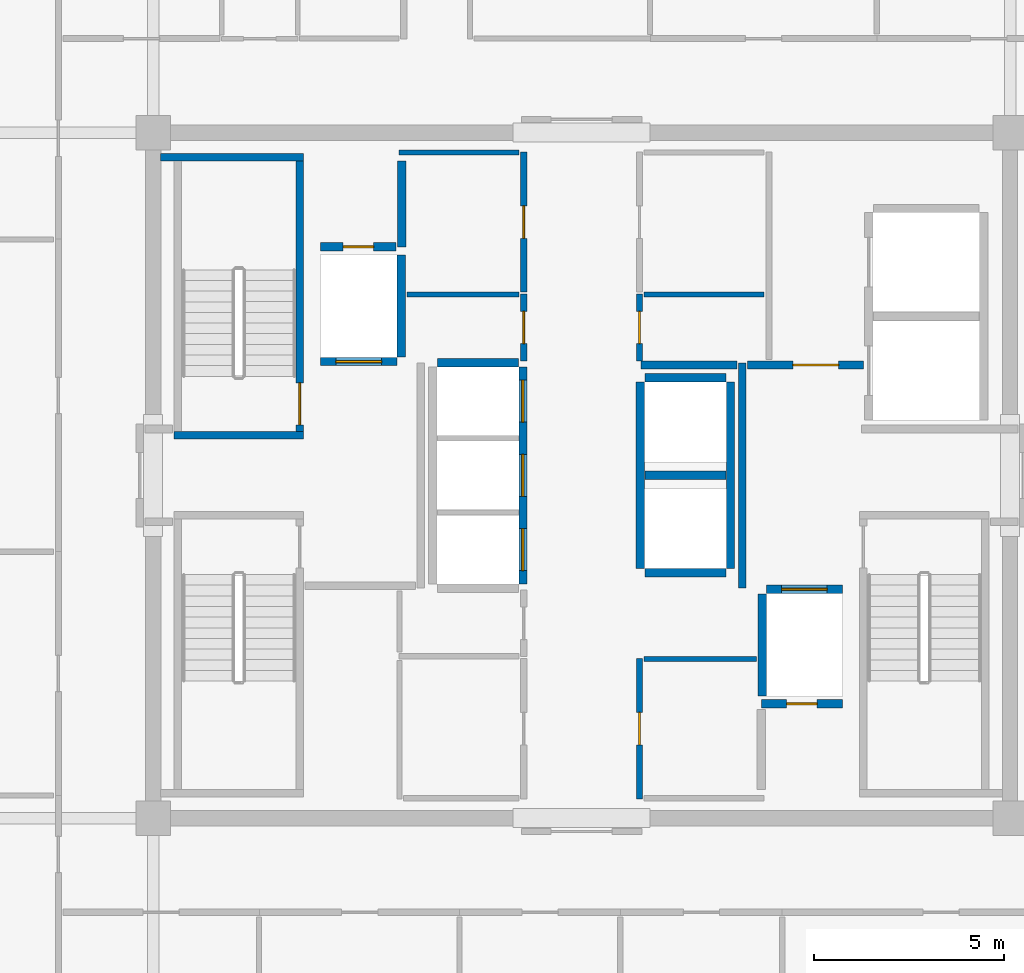
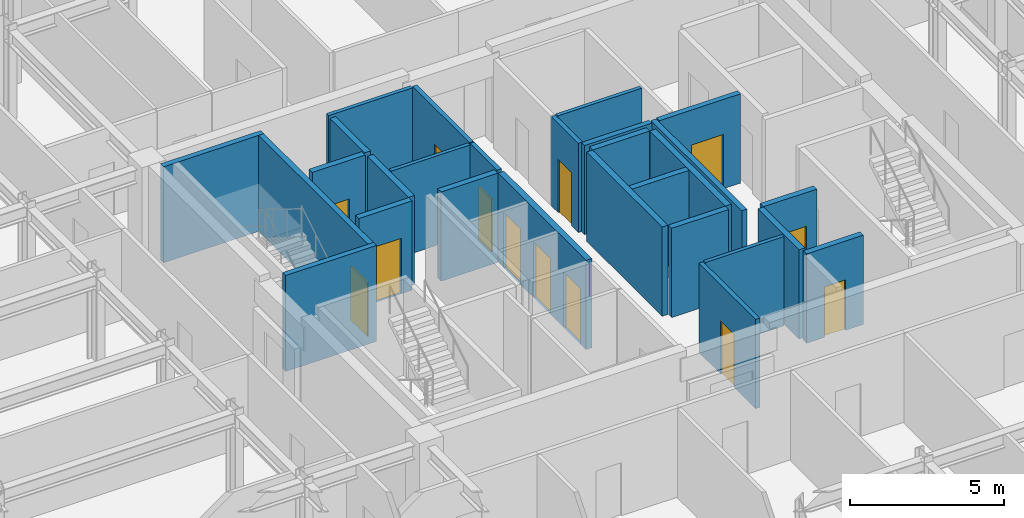
# One storey, part 14 of 18: 28 walls, 13 doors, 13 openings.
"""IFC4 building model written with IfcOpenShell, lengths in metres."""

import ifcopenshell
import ifcopenshell.guid

model = None  # the IFC model being written
_history = None  # IfcOwnerHistory: only IFC2X3 demands one
_inside = {}  # id of a spatial element -> (the spatial element, [elements in it])
_under = {}  # id of a project, library or spatial element -> (it, [spatial elements below it])
_declared = {}  # id of a project -> (the project, [libraries it declares])
_typed = {}  # id of a type object -> (the type object, [elements of that type])
_made_of = {}  # id of a material, layer set ... -> (it, [elements and type objects made of it])


def new_model(schema):
    """Start an empty IFC model of exactly this schema.

    Asked for "IFC4X3", IfcOpenShell would pick the latest addendum, in which some entities
    have other attributes; the version numbers below select the first issue.
    IFC2X3 requires an IfcOwnerHistory on every rooted entity: one is made here for all.
    """
    global model, _history
    if schema == "IFC4X3":
        model = ifcopenshell.file(schema_version=(4, 3, 0, 0))
    else:
        model = ifcopenshell.file(schema=schema)
    _inside.clear()
    _under.clear()
    _declared.clear()
    _typed.clear()
    _made_of.clear()
    _history = None
    if model.schema == "IFC2X3":
        org = make("IfcOrganization", Name="unknown")
        user = make(
            "IfcPersonAndOrganization",
            ThePerson=make("IfcPerson", FamilyName="unknown"),
            TheOrganization=org,
        )
        app = make(
            "IfcApplication",
            ApplicationDeveloper=org,
            Version="unknown",
            ApplicationFullName="unknown",
            ApplicationIdentifier="unknown",
        )
        _history = make(
            "IfcOwnerHistory",
            OwningUser=user,
            OwningApplication=app,
            ChangeAction="ADDED",
            CreationDate=0,
        )
    return model


def make(cls, **values):
    """One entity of the class cls with the attributes given. An attribute that is None is left unset."""
    return model.create_entity(
        cls, **{name: value for name, value in values.items() if value is not None}
    )


def rooted(cls, **values):
    """An entity with a GlobalId (a new one), such as an element, a storey or a relation."""
    return make(cls, GlobalId=ifcopenshell.guid.new(), OwnerHistory=_history, **values)


def si_unit(unit_type, name, prefix=None):
    """IfcSIUnit, for example si_unit("LENGTHUNIT", "METRE", prefix="MILLI")."""
    return make("IfcSIUnit", UnitType=unit_type, Prefix=prefix, Name=name)


def assignment(units):
    """IfcUnitAssignment: the units of a project."""
    return None if units is None else make("IfcUnitAssignment", Units=units)


def point(xyz):
    """IfcCartesianPoint."""
    return None if xyz is None else make("IfcCartesianPoint", Coordinates=xyz)


def direction(xyz):
    """IfcDirection."""
    return None if xyz is None else make("IfcDirection", DirectionRatios=xyz)


def frame(location, z_axis=None, x_axis=None):
    """IfcAxis2Placement3D, a coordinate frame: its origin and axes. An axis left out is left unset."""
    return make(
        "IfcAxis2Placement3D",
        Location=point(location),
        Axis=direction(z_axis),
        RefDirection=direction(x_axis),
    )


def frame_2d(location, x_axis=None):
    """IfcAxis2Placement2D, a coordinate frame in the plane: its origin and x axis."""
    return make(
        "IfcAxis2Placement2D", Location=point(location), RefDirection=direction(x_axis)
    )


def origin():
    """The frame at (0, 0, 0) with its axes left unset."""
    return frame((0.0, 0.0, 0.0))


def place(relative_to, where):
    """IfcLocalPlacement: puts the frame where relative to a parent placement (None: the world)."""
    return make(
        "IfcLocalPlacement", PlacementRelTo=relative_to, RelativePlacement=where
    )


def context(
    kind, dimensions, precision=None, world=None, true_north=None, identifier=None
):
    """IfcGeometricRepresentationContext, for example the 3D "Model" context."""
    return make(
        "IfcGeometricRepresentationContext",
        ContextIdentifier=identifier,
        ContextType=kind,
        CoordinateSpaceDimension=dimensions,
        Precision=precision,
        WorldCoordinateSystem=world,
        TrueNorth=true_north,
    )


def subcontext(parent, identifier, kind, view, scale=None):
    """IfcGeometricRepresentationSubContext, for example "Body" below "Model"."""
    return make(
        "IfcGeometricRepresentationSubContext",
        ContextIdentifier=identifier,
        ContextType=kind,
        ParentContext=parent,
        TargetScale=scale,
        TargetView=view,
    )


def project(units=None, contexts=None):
    """IfcProject with its units and contexts."""
    return rooted(
        "IfcProject",
        Name="project",
        RepresentationContexts=contexts,
        UnitsInContext=assignment(units),
    )


def spatial(cls, under=None, at=None, **own):
    """A site, building, storey or space (cls), placed at a placement, below another one or the project."""
    s = rooted(cls, ObjectPlacement=at, **own)
    if under is not None:
        _under.setdefault(under.id(), (under, []))[1].append(s)
    return s


def profile(cls, at=None, kind="AREA", **sizes):
    """A parametric profile (cls). Its sizes go by their IFC names, for example OverallWidth=200.0."""
    return make(cls, ProfileType=kind, Position=at, **sizes)


def rectangle(**sizes):
    """IfcRectangleProfileDef."""
    return profile("IfcRectangleProfileDef", **sizes)


def extrude(swept, where, along, depth):
    """IfcExtrudedAreaSolid: the profile swept, set in the frame where, extruded along a direction by depth."""
    return make(
        "IfcExtrudedAreaSolid",
        SweptArea=swept,
        Position=where,
        ExtrudedDirection=direction(along),
        Depth=depth,
    )


def shape(context_of_items, identifier, shape_type, items):
    """IfcShapeRepresentation: the items that make up one representation, for example the "Body"."""
    return make(
        "IfcShapeRepresentation",
        ContextOfItems=context_of_items,
        RepresentationIdentifier=identifier,
        RepresentationType=shape_type,
        Items=items,
    )


def source(mapping_origin, context_of_items, identifier, shape_type, items):
    """IfcRepresentationMap: a shape defined once, which mapped items show again and again."""
    return make(
        "IfcRepresentationMap",
        MappingOrigin=mapping_origin,
        MappedRepresentation=shape(context_of_items, identifier, shape_type, items),
    )


def transform(
    local_origin,
    x_axis=None,
    y_axis=None,
    z_axis=None,
    scale=None,
    scale2=None,
    scale3=None,
    uniform=True,
):
    """IfcCartesianTransformationOperator3D, or its non-uniform kind. x_axis, y_axis, z_axis: its Axis1, 2, 3."""
    if uniform:
        return make(
            "IfcCartesianTransformationOperator3D",
            Axis1=direction(x_axis),
            Axis2=direction(y_axis),
            LocalOrigin=point(local_origin),
            Scale=scale,
            Axis3=direction(z_axis),
        )
    return make(
        "IfcCartesianTransformationOperator3DnonUniform",
        Axis1=direction(x_axis),
        Axis2=direction(y_axis),
        LocalOrigin=point(local_origin),
        Scale=scale,
        Axis3=direction(z_axis),
        Scale2=scale2,
        Scale3=scale3,
    )


def mapped(mapping_source, mapping_target):
    """IfcMappedItem: shows the shape of a source again, moved by a transform."""
    return make(
        "IfcMappedItem", MappingSource=mapping_source, MappingTarget=mapping_target
    )


def material(Name=None, Category=None):
    """IfcMaterial."""
    return make("IfcMaterial", Name=Name, Category=Category)


def layer(
    of_material, thickness, ventilated=None, Name=None, Category=None, Priority=None
):
    """IfcMaterialLayer: one layer of a wall or slab, of a material (None: an air gap)."""
    return make(
        "IfcMaterialLayer",
        Material=of_material,
        LayerThickness=thickness,
        IsVentilated=ventilated,
        Name=Name,
        Category=Category,
        Priority=Priority,
    )


def layer_set(layers, Name=None):
    """IfcMaterialLayerSet."""
    return make("IfcMaterialLayerSet", MaterialLayers=layers, LayerSetName=Name)


def made_of(thing, what):
    """Note that an element or type object is made of a material, layer set ...; save() writes the relation."""
    if what is not None:
        _made_of.setdefault(what.id(), (what, []))[1].append(thing)
    return thing


def type_object(cls, material=None, **own):
    """A type object (cls), such as IfcWallType, which elements share."""
    return made_of(rooted(cls, **own), material)


def element(
    cls,
    number,
    at=None,
    inside=None,
    cuts=None,
    type_object=None,
    material=None,
    context=None,
    identifier="Body",
    shape_type=None,
    held_by="IfcProductDefinitionShape",
    body=None,
    shapes=None,
    **own,
):
    """One element of the class cls, such as IfcWall. Its Tag is "e" and its number.

    at: its placement. inside: the storey or other place that contains it. cuts: it is an
    opening in that element (IfcRelVoidsElement). A single representation is given by context,
    identifier, shape_type and body (its items); several are given by shapes. held_by: the class
    of the entity that holds the representations. save() writes the other relations.
    """
    e = rooted(cls, Tag="e%d" % number, ObjectPlacement=at, **own)
    if body is not None:
        shapes = [shape(context, identifier, shape_type, body)]
    if shapes is not None:
        e.Representation = make(held_by, Representations=shapes)
    if inside is not None:
        _inside.setdefault(inside.id(), (inside, []))[1].append(e)
    if cuts is not None:
        rooted(
            "IfcRelVoidsElement", RelatingBuildingElement=cuts, RelatedOpeningElement=e
        )
    if type_object is not None:
        _typed.setdefault(type_object.id(), (type_object, []))[1].append(e)
    return made_of(e, material)


def fill(opening, filler):
    """IfcRelFillsElement: the door or window that sits in an opening."""
    return rooted(
        "IfcRelFillsElement",
        RelatingOpeningElement=opening,
        RelatedBuildingElement=filler,
    )


def aggregate(whole, parts):
    """IfcRelAggregates: a whole, such as a stair, and the parts it consists of."""
    return rooted("IfcRelAggregates", RelatingObject=whole, RelatedObjects=parts)


def save(model, path):
    """Write the relations noted so far, then the file.

    IfcRelAggregates (storeys below a building ...), IfcRelContainedInSpatialStructure (elements
    in a storey), IfcRelDefinesByType, IfcRelAssociatesMaterial and IfcRelDeclares: one each for
    every whole, place, type object, material and project.
    """
    for whole, parts in _under.values():
        aggregate(whole, parts)
    for where, things in _inside.values():
        rooted(
            "IfcRelContainedInSpatialStructure",
            RelatedElements=things,
            RelatingStructure=where,
        )
    for kind, things in _typed.values():
        rooted("IfcRelDefinesByType", RelatedObjects=things, RelatingType=kind)
    for what, things in _made_of.values():
        rooted("IfcRelAssociatesMaterial", RelatedObjects=things, RelatingMaterial=what)
    for by, libraries in _declared.values():
        rooted("IfcRelDeclares", RelatingContext=by, RelatedDefinitions=libraries)
    model.write(path)


model = new_model("IFC4")

# Units and contexts
model_context = context("Model", 3, precision=1e-05, world=origin(), true_north=direction((0.0, 1.0)))
body_context = subcontext(model_context, "Body", "Model", "MODEL_VIEW")
ifc_project = project(units=[si_unit("LENGTHUNIT", "METRE"), si_unit("AREAUNIT", "SQUARE_METRE"), si_unit("VOLUMEUNIT", "CUBIC_METRE"), si_unit("PLANEANGLEUNIT", "RADIAN"), si_unit("MASSUNIT", "GRAM", prefix="KILO")], contexts=[model_context])

# Site, building, storey
site_placement = place(None, origin())
site = spatial("IfcSite", under=ifc_project, at=site_placement, CompositionType="ELEMENT")
building_placement = place(site_placement, origin())
building = spatial("IfcBuilding", under=site, at=building_placement, Name="Nefas-Gora Pilgrimage Tower", CompositionType="ELEMENT")
storey_placement = place(building_placement, frame((0.0, 0.0, 330.0)))
storey = spatial("IfcBuildingStorey", under=building, at=storey_placement, Name="L83", CompositionType="ELEMENT", Elevation=330.0)

# Wall
ifc_material_1 = material(Name="Concrete C45/55", Category="concrete")
ifc_layer_1 = layer(ifc_material_1, 0.199951171875)
ifc_layer_set_1 = layer_set([ifc_layer_1], Name="Concrete C45/55")
wall_type_1 = type_object("IfcWallType", Name="IW-STAIR-200", PredefinedType="SOLIDWALL", material=ifc_layer_set_1)
shared_shape_1 = source(origin(), body_context, "Body", "SweptSolid", [
    extrude(rectangle(XDim=3.39990234375, YDim=0.199951171875, at=frame_2d((1.699951171875, 0.0))), origin(), (0.0, 0.0, 1.0), 3.800048828125),
])
wall_1_placement = place(storey_placement, frame((-7.300048828125, 1.050048828125, 0.0), z_axis=(0.0, 0.0, 1.0), x_axis=(-1.0, 0.0, 0.0)))
element("IfcWall", 1, at=wall_1_placement, inside=storey, type_object=wall_type_1, Name="L83 Stairwell Shear Wall ST-01-near", PredefinedType="SOLIDWALL", context=body_context, shape_type="MappedRepresentation", body=[
    mapped(shared_shape_1, transform((0.0, 0.0, 0.0), x_axis=(1.0, 0.0, 0.0), y_axis=(0.0, 1.0, 0.0), z_axis=(0.0, 0.0, 1.0), scale=1.0)),
])

# Wall, opening, door
shared_shape_2 = source(origin(), body_context, "Body", "SweptSolid", [
    extrude(rectangle(XDim=7.10009765625, YDim=0.199951171875, at=frame_2d((3.550048828125, 0.0))), origin(), (0.0, 0.0, 1.0), 3.800048828125),
])
wall_2_placement = place(storey_placement, frame((-7.39990234375, 1.14990234375, 0.0), z_axis=(0.0, 0.0, 1.0), x_axis=(0.0, 1.0, 0.0)))
wall_2 = element("IfcWall", 2, at=wall_2_placement, inside=storey, type_object=wall_type_1, Name="L83 Stairwell Shear Wall ST-01-left", PredefinedType="SOLIDWALL", context=body_context, shape_type="MappedRepresentation", body=[
    mapped(shared_shape_2, transform((0.0, 0.0, 0.0), x_axis=(1.0, 0.0, 0.0), y_axis=(0.0, 1.0, 0.0), z_axis=(0.0, 0.0, 1.0), scale=1.0)),
])
opening_1_placement = place(wall_2_placement, frame((0.179931640625, 0.0, 0.0)))
opening_1 = element("IfcOpeningElement", 3, at=opening_1_placement, cuts=wall_2, Name="Opening ID-ST1", PredefinedType="OPENING", context=body_context, shape_type="SweptSolid", body=[
    extrude(rectangle(XDim=1.10009765625, YDim=2.14990234375, at=frame_2d((0.550048828125, 1.074951171875))), frame((0.0, 0.10986328125, 0.0), z_axis=(0.0, -1.0, 0.0), x_axis=(1.0, 0.0, 0.0)), (0.0, 0.0, 1.0), 0.219970703125),
])
ifc_material_2 = material(Name="Painted galvanised steel fire stair door", Category="steel")
door_type_1 = type_object("IfcDoorType", Name="DR-INT-STAIR-1100", OperationType="NOTDEFINED", PredefinedType="DOOR", material=ifc_material_2)
shared_shape_3 = source(origin(), body_context, "Body", "SweptSolid", [
    extrude(rectangle(XDim=1.10009765625, YDim=2.14990234375, at=frame_2d((0.550048828125, 1.074951171875))), frame((0.0, 0.02490234375, 0.0), z_axis=(0.0, -1.0, 0.0), x_axis=(1.0, 0.0, 0.0)), (0.0, 0.0, 1.0), 0.050048828125),
])
door_1_placement = place(opening_1_placement, origin())
door_1 = element("IfcDoor", 4, at=door_1_placement, inside=storey, type_object=door_type_1, Name="L83 Protected Exit Stair Door ST-01", OperationType="SINGLE_SWING_LEFT", OverallHeight=2.14990234375, OverallWidth=1.10009765625, PredefinedType="DOOR", context=body_context, shape_type="MappedRepresentation", body=[
    mapped(shared_shape_3, transform((0.0, 0.0, 0.0), x_axis=(1.0, 0.0, 0.0), y_axis=(0.0, 1.0, 0.0), z_axis=(0.0, 0.0, 1.0), scale=1.0)),
])
fill(opening_1, door_1)

# Wall
shared_shape_4 = source(origin(), body_context, "Body", "SweptSolid", [
    extrude(rectangle(XDim=3.7548828125, YDim=0.199951171875, at=frame_2d((1.87744140625, 0.0))), origin(), (0.0, 0.0, 1.0), 3.800048828125),
])
wall_3_placement = place(storey_placement, frame((-7.300048828125, 8.35009765625, 0.0), z_axis=(0.0, 0.0, 1.0), x_axis=(-1.0, 0.0, 0.0)))
element("IfcWall", 5, at=wall_3_placement, inside=storey, type_object=wall_type_1, Name="L83 Stairwell Shear Wall ST-01-far", PredefinedType="SOLIDWALL", context=body_context, shape_type="MappedRepresentation", body=[
    mapped(shared_shape_4, transform((0.0, 0.0, 0.0), x_axis=(1.0, 0.0, 0.0), y_axis=(0.0, 1.0, 0.0), z_axis=(0.0, 0.0, 1.0), scale=1.0)),
])

# Wall, opening, door
ifc_material_3 = material(Name="Concrete C40/50", Category="concrete")
ifc_layer_2 = layer(ifc_material_3, 0.219970703125)
ifc_layer_set_2 = layer_set([ifc_layer_2], Name="Concrete C40/50")
wall_type_2 = type_object("IfcWallType", Name="IW-SHAFT-220", PredefinedType="SOLIDWALL", material=ifc_layer_set_2)
shared_shape_5 = source(origin(), body_context, "Body", "SweptSolid", [
    extrude(rectangle(XDim=2.0, YDim=0.219970703125, at=frame_2d((1.0, 0.0))), origin(), (0.0, 0.0, 1.0), 3.534912109375),
])
wall_4_placement = place(storey_placement, frame((-6.85009765625, 2.989990234375, 0.0), z_axis=(0.0, 0.0, 1.0), x_axis=(1.0, 0.0, 0.0)))
wall_4 = element("IfcWall", 6, at=wall_4_placement, inside=storey, type_object=wall_type_2, Name="L83 Hoistway Wall FFL-01-S", PredefinedType="SOLIDWALL", context=body_context, shape_type="MappedRepresentation", body=[
    mapped(shared_shape_5, transform((0.0, 0.0, 0.0), x_axis=(1.0, 0.0, 0.0), y_axis=(0.0, 1.0, 0.0), z_axis=(0.0, 0.0, 1.0), scale=1.0)),
])
opening_2_placement = place(wall_4_placement, frame((0.39990234375, 0.0, 0.0)))
opening_2 = element("IfcOpeningElement", 7, at=opening_2_placement, cuts=wall_4, Name="Opening LD-FF", PredefinedType="OPENING", context=body_context, shape_type="SweptSolid", body=[
    extrude(rectangle(XDim=1.199951171875, YDim=2.199951171875, at=frame_2d((0.60009765625, 1.10009765625))), frame((0.0, 0.119873046875, 0.0), z_axis=(0.0, -1.0, 0.0), x_axis=(1.0, 0.0, 0.0)), (0.0, 0.0, 1.0), 0.239990234375),
])
ifc_material_4 = material(Name="Fire-service sliding lift landing door")
door_type_2 = type_object("IfcDoorType", Name="DR-LIFT-FSAE-1200", OperationType="SLIDING_TO_LEFT", PredefinedType="DOOR", material=ifc_material_4)
shared_shape_6 = source(origin(), body_context, "Body", "SweptSolid", [
    extrude(rectangle(XDim=1.199951171875, YDim=2.199951171875, at=frame_2d((0.60009765625, 1.10009765625))), frame((0.0, 0.02490234375, 0.0), z_axis=(0.0, -1.0, 0.0), x_axis=(1.0, 0.0, 0.0)), (0.0, 0.0, 1.0), 0.050048828125),
])
door_2_placement = place(opening_2_placement, origin())
door_2 = element("IfcDoor", 8, at=door_2_placement, inside=storey, type_object=door_type_2, Name="L83 Sliding Lift Landing Door FFL-01", OperationType="SLIDING_TO_LEFT", OverallHeight=2.199951171875, OverallWidth=1.199951171875, PredefinedType="DOOR", context=body_context, shape_type="MappedRepresentation", body=[
    mapped(shared_shape_6, transform((0.0, 0.0, 0.0), x_axis=(1.0, 0.0, 0.0), y_axis=(0.0, 1.0, 0.0), z_axis=(0.0, 0.0, 1.0), scale=1.0)),
])
fill(opening_2, door_2)

wall_5_placement = place(storey_placement, frame((6.85009765625, -2.989990234375, 0.0), z_axis=(0.0, 0.0, 1.0), x_axis=(-1.0, 0.0, 0.0)))
wall_5 = element("IfcWall", 9, at=wall_5_placement, inside=storey, type_object=wall_type_2, Name="L83 Hoistway Wall FFL-02-N", PredefinedType="SOLIDWALL", context=body_context, shape_type="MappedRepresentation", body=[
    mapped(shared_shape_5, transform((0.0, 0.0, 0.0), x_axis=(1.0, 0.0, 0.0), y_axis=(0.0, 1.0, 0.0), z_axis=(0.0, 0.0, 1.0), scale=1.0)),
])
opening_3_placement = place(wall_5_placement, frame((0.39990234375, 0.0, 0.0)))
opening_3 = element("IfcOpeningElement", 10, at=opening_3_placement, cuts=wall_5, Name="Opening LD-FF", PredefinedType="OPENING", context=body_context, shape_type="SweptSolid", body=[
    extrude(rectangle(XDim=1.199951171875, YDim=2.199951171875, at=frame_2d((0.60009765625, 1.10009765625))), frame((0.0, 0.119873046875, 0.0), z_axis=(0.0, -1.0, 0.0), x_axis=(1.0, 0.0, 0.0)), (0.0, 0.0, 1.0), 0.239990234375),
])
door_3_placement = place(opening_3_placement, origin())
door_3 = element("IfcDoor", 11, at=door_3_placement, inside=storey, type_object=door_type_2, Name="L83 Sliding Lift Landing Door FFL-02", OperationType="SLIDING_TO_LEFT", OverallHeight=2.199951171875, OverallWidth=1.199951171875, PredefinedType="DOOR", context=body_context, shape_type="MappedRepresentation", body=[
    mapped(shared_shape_6, transform((0.0, 0.0, 0.0), x_axis=(1.0, 0.0, 0.0), y_axis=(0.0, 1.0, 0.0), z_axis=(0.0, 0.0, 1.0), scale=1.0)),
])
fill(opening_3, door_3)

# Walls
shared_shape_7 = source(origin(), body_context, "Body", "SweptSolid", [
    extrude(rectangle(XDim=2.679931640625, YDim=0.219970703125, at=frame_2d((1.33984375, 0.0))), origin(), (0.0, 0.0, 1.0), 3.534912109375),
])
for number, where, z_axis, x_axis, name in (
    (12, (-4.739990234375, 3.110107421875, 0.0), (0.0, 0.0, 1.0), (0.0, 1.0, 0.0), "L83 Hoistway Wall FFL-01-E"),
    (13, (4.739990234375, -3.110107421875, 0.0), (0.0, 0.0, 1.0), (0.0, -1.0, 0.0), "L83 Hoistway Wall FFL-02-W"),
):
    element("IfcWall", number, at=place(storey_placement, frame(where, z_axis=z_axis, x_axis=x_axis)), inside=storey, type_object=wall_type_2, Name=name, PredefinedType="SOLIDWALL", context=body_context, shape_type="MappedRepresentation", body=[
        mapped(shared_shape_7, transform((0.0, 0.0, 0.0), x_axis=(1.0, 0.0, 0.0), y_axis=(0.0, 1.0, 0.0), z_axis=(0.0, 0.0, 1.0), scale=1.0)),
    ])

# Wall, openings, doors
shared_shape_8 = source(origin(), body_context, "Body", "SweptSolid", [
    extrude(rectangle(XDim=5.7001953125, YDim=0.219970703125, at=frame_2d((2.85009765625, 0.0))), origin(), (0.0, 0.0, 1.0), 3.534912109375),
])
wall_6_placement = place(storey_placement, frame((-1.5400390625, -2.85009765625, 0.0), z_axis=(0.0, 0.0, 1.0), x_axis=(0.0, 1.0, 0.0)))
wall_6 = element("IfcWall", 14, at=wall_6_placement, inside=storey, type_object=wall_type_2, Name="L83 Hoistway Wall PL3-01-03-E", PredefinedType="SOLIDWALL", context=body_context, shape_type="MappedRepresentation", body=[
    mapped(shared_shape_8, transform((0.0, 0.0, 0.0), x_axis=(1.0, 0.0, 0.0), y_axis=(0.0, 1.0, 0.0), z_axis=(0.0, 0.0, 1.0), scale=1.0)),
])
opening_4_placement = place(wall_6_placement, frame((0.35009765625, 0.0, 0.0)))
opening_4 = element("IfcOpeningElement", 15, at=opening_4_placement, cuts=wall_6, Name="Opening LD-01", PredefinedType="OPENING", context=body_context, shape_type="SweptSolid", body=[
    extrude(rectangle(XDim=1.10009765625, YDim=2.199951171875, at=frame_2d((0.550048828125, 1.10009765625))), frame((0.0, 0.119873046875, 0.0), z_axis=(0.0, -1.0, 0.0), x_axis=(1.0, 0.0, 0.0)), (0.0, 0.0, 1.0), 0.239990234375),
])
opening_5_placement = place(wall_6_placement, frame((2.300048828125, 0.0, 0.0)))
opening_5 = element("IfcOpeningElement", 16, at=opening_5_placement, cuts=wall_6, Name="Opening LD-01", PredefinedType="OPENING", context=body_context, shape_type="SweptSolid", body=[
    extrude(rectangle(XDim=1.10009765625, YDim=2.199951171875, at=frame_2d((0.550048828125, 1.10009765625))), frame((0.0, 0.119873046875, 0.0), z_axis=(0.0, -1.0, 0.0), x_axis=(1.0, 0.0, 0.0)), (0.0, 0.0, 1.0), 0.239990234375),
])
opening_6_placement = place(wall_6_placement, frame((4.25, 0.0, 0.0)))
opening_6 = element("IfcOpeningElement", 17, at=opening_6_placement, cuts=wall_6, Name="Opening LD-01", PredefinedType="OPENING", context=body_context, shape_type="SweptSolid", body=[
    extrude(rectangle(XDim=1.10009765625, YDim=2.199951171875, at=frame_2d((0.550048828125, 1.10009765625))), frame((0.0, 0.119873046875, 0.0), z_axis=(0.0, -1.0, 0.0), x_axis=(1.0, 0.0, 0.0)), (0.0, 0.0, 1.0), 0.239990234375),
])
ifc_material_5 = material(Name="Brushed stainless sliding lift landing door")
door_type_3 = type_object("IfcDoorType", Name="DR-LIFT-PASS-1100", OperationType="DOUBLE_DOOR_SLIDING", PredefinedType="DOOR", material=ifc_material_5)
shared_shape_9 = source(origin(), body_context, "Body", "SweptSolid", [
    extrude(rectangle(XDim=1.10009765625, YDim=2.199951171875, at=frame_2d((0.550048828125, 1.10009765625))), frame((0.0, 0.02490234375, 0.0), z_axis=(0.0, -1.0, 0.0), x_axis=(1.0, 0.0, 0.0)), (0.0, 0.0, 1.0), 0.050048828125),
])
door_4_placement = place(opening_4_placement, origin())
door_4 = element("IfcDoor", 18, at=door_4_placement, inside=storey, type_object=door_type_3, Name="L83 Sliding Lift Landing Door PL3-01", OperationType="DOUBLE_DOOR_SLIDING", OverallHeight=2.199951171875, OverallWidth=1.10009765625, PredefinedType="DOOR", context=body_context, shape_type="MappedRepresentation", body=[
    mapped(shared_shape_9, transform((0.0, 0.0, 0.0), x_axis=(1.0, 0.0, 0.0), y_axis=(0.0, 1.0, 0.0), z_axis=(0.0, 0.0, 1.0), scale=1.0)),
])
fill(opening_4, door_4)
door_5_placement = place(opening_5_placement, origin())
door_5 = element("IfcDoor", 19, at=door_5_placement, inside=storey, type_object=door_type_3, Name="L83 Sliding Lift Landing Door PL3-02", OperationType="DOUBLE_DOOR_SLIDING", OverallHeight=2.199951171875, OverallWidth=1.10009765625, PredefinedType="DOOR", context=body_context, shape_type="MappedRepresentation", body=[
    mapped(shared_shape_9, transform((0.0, 0.0, 0.0), x_axis=(1.0, 0.0, 0.0), y_axis=(0.0, 1.0, 0.0), z_axis=(0.0, 0.0, 1.0), scale=1.0)),
])
fill(opening_5, door_5)
door_6_placement = place(opening_6_placement, origin())
door_6 = element("IfcDoor", 20, at=door_6_placement, inside=storey, type_object=door_type_3, Name="L83 Sliding Lift Landing Door PL3-03", OperationType="DOUBLE_DOOR_SLIDING", OverallHeight=2.199951171875, OverallWidth=1.10009765625, PredefinedType="DOOR", context=body_context, shape_type="MappedRepresentation", body=[
    mapped(shared_shape_9, transform((0.0, 0.0, 0.0), x_axis=(1.0, 0.0, 0.0), y_axis=(0.0, 1.0, 0.0), z_axis=(0.0, 0.0, 1.0), scale=1.0)),
])
fill(opening_6, door_6)

# Walls
shared_shape_10 = source(origin(), body_context, "Body", "SweptSolid", [
    extrude(rectangle(XDim=2.130126953125, YDim=0.219970703125, at=frame_2d((1.06494140625, 0.0))), origin(), (0.0, 0.0, 1.0), 3.534912109375),
])
for number, where, z_axis, x_axis, name in (
    (21, (-1.659912109375, 2.9599609375, 0.0), (0.0, 0.0, 1.0), (-1.0, 0.0, 0.0), "L83 Hoistway Wall PL3-03-N"),
    (22, (1.659912109375, -2.56005859375, 0.0), (0.0, 0.0, 1.0), (1.0, 0.0, 0.0), "L83 Hoistway Wall OBS-01-S"),
    (23, (1.659912109375, 0.0, 0.0), (0.0, 0.0, 1.0), (1.0, 0.0, 0.0), "L83 Hoistway Wall OBS-01-02-DIV"),
    (24, (3.7900390625, 2.56005859375, 0.0), (0.0, 0.0, 1.0), (-1.0, 0.0, 0.0), "L83 Hoistway Wall OBS-02-N"),
):
    element("IfcWall", number, at=place(storey_placement, frame(where, z_axis=z_axis, x_axis=x_axis)), inside=storey, type_object=wall_type_2, Name=name, PredefinedType="SOLIDWALL", context=body_context, shape_type="MappedRepresentation", body=[
        mapped(shared_shape_10, transform((0.0, 0.0, 0.0), x_axis=(1.0, 0.0, 0.0), y_axis=(0.0, 1.0, 0.0), z_axis=(0.0, 0.0, 1.0), scale=1.0)),
    ])

# Wall, opening, door
wall_7_placement = place(storey_placement, frame((4.719970703125, -6.0, 0.0), z_axis=(0.0, 0.0, 1.0), x_axis=(1.0, 0.0, 0.0)))
wall_7 = element("IfcWall", 25, at=wall_7_placement, inside=storey, type_object=wall_type_2, Name="L83 Riser Shaft Wall 3", PredefinedType="SOLIDWALL", context=body_context, shape_type="MappedRepresentation", body=[
    mapped(shared_shape_10, transform((0.0, 0.0, 0.0), x_axis=(1.0, 0.0, 0.0), y_axis=(0.0, 1.0, 0.0), z_axis=(0.0, 0.0, 1.0), scale=1.0)),
])
opening_7_placement = place(wall_7_placement, frame((0.6650390625, 0.0, 0.0)))
opening_7 = element("IfcOpeningElement", 26, at=opening_7_placement, cuts=wall_7, Name="Opening ID-TR1", PredefinedType="OPENING", context=body_context, shape_type="SweptSolid", body=[
    extrude(rectangle(XDim=0.800048828125, YDim=2.0, at=frame_2d((0.39990234375, 1.0))), frame((0.0, 0.119873046875, 0.0), z_axis=(0.0, -1.0, 0.0), x_axis=(1.0, 0.0, 0.0)), (0.0, 0.0, 1.0), 0.239990234375),
])
ifc_material_6 = material(Name="Riser maintenance fire access door")
door_type_4 = type_object("IfcDoorType", Name="DR-INT-TRAP-800", OperationType="NOTDEFINED", PredefinedType="TRAPDOOR", material=ifc_material_6)
shared_shape_11 = source(origin(), body_context, "Body", "SweptSolid", [
    extrude(rectangle(XDim=0.800048828125, YDim=2.0, at=frame_2d((0.39990234375, 1.0))), frame((0.0, 0.02490234375, 0.0), z_axis=(0.0, -1.0, 0.0), x_axis=(1.0, 0.0, 0.0)), (0.0, 0.0, 1.0), 0.050048828125),
])
door_7_placement = place(opening_7_placement, origin())
door_7 = element("IfcDoor", 27, at=door_7_placement, inside=storey, type_object=door_type_4, Name="L83 Riser Shaft Door 2", OperationType="SINGLE_SWING_LEFT", OverallHeight=2.0, OverallWidth=0.800048828125, PredefinedType="TRAPDOOR", context=body_context, shape_type="MappedRepresentation", body=[
    mapped(shared_shape_11, transform((0.0, 0.0, 0.0), x_axis=(1.0, 0.0, 0.0), y_axis=(0.0, 1.0, 0.0), z_axis=(0.0, 0.0, 1.0), scale=1.0)),
])
fill(opening_7, door_7)

# Walls
shared_shape_12 = source(origin(), body_context, "Body", "SweptSolid", [
    extrude(rectangle(XDim=4.89990234375, YDim=0.219970703125, at=frame_2d((2.449951171875, 0.0))), origin(), (0.0, 0.0, 1.0), 3.534912109375),
])
for number, where, z_axis, x_axis, name in (
    (28, (1.5400390625, 2.449951171875, 0.0), (0.0, 0.0, 1.0), (0.0, -1.0, 0.0), "L83 Hoistway Wall OBS-01-02-W"),
    (29, (3.909912109375, -2.449951171875, 0.0), (0.0, 0.0, 1.0), (0.0, 1.0, 0.0), "L83 Hoistway Wall OBS-01-02-E"),
):
    element("IfcWall", number, at=place(storey_placement, frame(where, z_axis=z_axis, x_axis=x_axis)), inside=storey, type_object=wall_type_2, Name=name, PredefinedType="SOLIDWALL", context=body_context, shape_type="MappedRepresentation", body=[
        mapped(shared_shape_12, transform((0.0, 0.0, 0.0), x_axis=(1.0, 0.0, 0.0), y_axis=(0.0, 1.0, 0.0), z_axis=(0.0, 0.0, 1.0), scale=1.0)),
    ])
ifc_material_7 = material(Name="Gypsum fire-rated shaftwall")
ifc_layer_3 = layer(ifc_material_7, 0.199951171875)
ifc_layer_set_3 = layer_set([ifc_layer_3], Name="Gypsum fire-rated shaftwall")
wall_type_3 = type_object("IfcWallType", Name="IW-FFLOB-200", PredefinedType="PARTITIONING", material=ifc_layer_set_3)
shared_shape_13 = source(origin(), body_context, "Body", "SweptSolid", [
    extrude(rectangle(XDim=5.89990234375, YDim=0.199951171875, at=frame_2d((2.949951171875, 0.0))), origin(), (0.0, 0.0, 1.0), 3.534912109375),
])
wall_8_placement = place(storey_placement, frame((4.219970703125, -2.949951171875, 0.0), z_axis=(0.0, 0.0, 1.0), x_axis=(0.0, 1.0, 0.0)))
element("IfcWall", 30, at=wall_8_placement, inside=storey, type_object=wall_type_3, Name="L83 FF Lobby East Inner Wall Wall 11", PredefinedType="PARTITIONING", context=body_context, shape_type="MappedRepresentation", body=[
    mapped(shared_shape_13, transform((0.0, 0.0, 0.0), x_axis=(1.0, 0.0, 0.0), y_axis=(0.0, 1.0, 0.0), z_axis=(0.0, 0.0, 1.0), scale=1.0)),
])

# Wall, opening, door
shared_shape_14 = source(origin(), body_context, "Body", "SweptSolid", [
    extrude(rectangle(XDim=3.039794921875, YDim=0.199951171875, at=frame_2d((1.52001953125, 0.0))), origin(), (0.0, 0.0, 1.0), 3.534912109375),
])
wall_9_placement = place(storey_placement, frame((4.360107421875, 2.89990234375, 0.0), z_axis=(0.0, 0.0, 1.0), x_axis=(1.0, 0.0, 0.0)))
wall_9 = element("IfcWall", 31, at=wall_9_placement, inside=storey, type_object=wall_type_3, Name="L83 FF Lobby East North Wall Wall 13", PredefinedType="PARTITIONING", context=body_context, shape_type="MappedRepresentation", body=[
    mapped(shared_shape_14, transform((0.0, 0.0, 0.0), x_axis=(1.0, 0.0, 0.0), y_axis=(0.0, 1.0, 0.0), z_axis=(0.0, 0.0, 1.0), scale=1.0)),
])
opening_8_placement = place(wall_9_placement, frame((1.18994140625, 0.0, 0.0)))
opening_8 = element("IfcOpeningElement", 32, at=opening_8_placement, cuts=wall_9, Name="Opening ID-PL1", PredefinedType="OPENING", context=body_context, shape_type="SweptSolid", body=[
    extrude(rectangle(XDim=1.199951171875, YDim=2.14990234375, at=frame_2d((0.60009765625, 1.074951171875))), frame((0.0, 0.10986328125, 0.0), z_axis=(0.0, -1.0, 0.0), x_axis=(1.0, 0.0, 0.0)), (0.0, 0.0, 1.0), 0.219970703125),
])
ifc_material_8 = material(Name="Heavy-duty steel plant room fire door", Category="steel")
door_type_5 = type_object("IfcDoorType", Name="DR-INT-PLANT-1200", OperationType="NOTDEFINED", PredefinedType="DOOR", material=ifc_material_8)
shared_shape_15 = source(origin(), body_context, "Body", "SweptSolid", [
    extrude(rectangle(XDim=1.199951171875, YDim=2.14990234375, at=frame_2d((0.60009765625, 1.074951171875))), frame((0.0, 0.02490234375, 0.0), z_axis=(0.0, -1.0, 0.0), x_axis=(1.0, 0.0, 0.0)), (0.0, 0.0, 1.0), 0.050048828125),
])
door_8_placement = place(opening_8_placement, origin())
door_8 = element("IfcDoor", 33, at=door_8_placement, inside=storey, type_object=door_type_5, Name="L83 Service Lift Lobby Door Door 5", OperationType="SINGLE_SWING_RIGHT", OverallHeight=2.14990234375, OverallWidth=1.199951171875, PredefinedType="DOOR", context=body_context, shape_type="MappedRepresentation", body=[
    mapped(shared_shape_15, transform((0.0, 0.0, 0.0), x_axis=(1.0, 0.0, 0.0), y_axis=(0.0, 1.0, 0.0), z_axis=(0.0, 0.0, 1.0), scale=1.0)),
])
fill(opening_8, door_8)

# Walls
ifc_material_9 = material(Name="Gypsum twin-stud partition")
ifc_layer_4 = layer(ifc_material_9, 0.139892578125)
ifc_layer_set_4 = layer_set([ifc_layer_4], Name="Gypsum twin-stud partition")
wall_type_4 = type_object("IfcWallType", Name="IW-UNIT-140", PredefinedType="PARTITIONING", material=ifc_layer_set_4)
shared_shape_16 = source(origin(), body_context, "Body", "SweptSolid", [
    extrude(rectangle(XDim=2.9501953125, YDim=0.139892578125, at=frame_2d((1.47509765625, 0.0))), origin(), (0.0, 0.0, 1.0), 3.534912109375),
])
for number, where, z_axis, x_axis, name in (
    (34, (-4.590087890625, 4.75, 0.0), (0.0, 0.0, 1.0), (1.0, 0.0, 0.0), "L83 Housekeeping and Linen Store Partition Wall 20"),
    (35, (1.639892578125, -4.820068359375, 0.0), (0.0, 0.0, 1.0), (1.0, 0.0, 0.0), "L83 High-Rise Tableware Store Partition Wall 34"),
):
    element("IfcWall", number, at=place(storey_placement, frame(where, z_axis=z_axis, x_axis=x_axis)), inside=storey, type_object=wall_type_4, Name=name, PredefinedType="PARTITIONING", context=body_context, shape_type="MappedRepresentation", body=[
        mapped(shared_shape_16, transform((0.0, 0.0, 0.0), x_axis=(1.0, 0.0, 0.0), y_axis=(0.0, 1.0, 0.0), z_axis=(0.0, 0.0, 1.0), scale=1.0)),
    ])
shared_shape_17 = source(origin(), body_context, "Body", "SweptSolid", [
    extrude(rectangle(XDim=3.150146484375, YDim=0.139892578125, at=frame_2d((1.5751953125, 0.0))), origin(), (0.0, 0.0, 1.0), 3.534912109375),
])
for number, where, z_axis, x_axis, name in (
    (36, (-4.7900390625, 8.47998046875, 0.0), (0.0, 0.0, 1.0), (1.0, 0.0, 0.0), "L83 Archival Supply Store Partition Wall 22"),
    (37, (1.639892578125, 4.75, 0.0), (0.0, 0.0, 1.0), (1.0, 0.0, 0.0), "L83 Clean Blanket and Robe Store Partition Wall 24"),
):
    element("IfcWall", number, at=place(storey_placement, frame(where, z_axis=z_axis, x_axis=x_axis)), inside=storey, type_object=wall_type_4, Name=name, PredefinedType="PARTITIONING", context=body_context, shape_type="MappedRepresentation", body=[
        mapped(shared_shape_17, transform((0.0, 0.0, 0.0), x_axis=(1.0, 0.0, 0.0), y_axis=(0.0, 1.0, 0.0), z_axis=(0.0, 0.0, 1.0), scale=1.0)),
    ])
shared_shape_18 = source(origin(), body_context, "Body", "SweptSolid", [
    extrude(rectangle(XDim=2.25, YDim=0.219970703125, at=frame_2d((1.125, 0.0))), origin(), (0.0, 0.0, 1.0), 3.534912109375),
])
wall_10_placement = place(storey_placement, frame((-4.719970703125, 6.0, 0.0), z_axis=(0.0, 0.0, 1.0), x_axis=(0.0, 1.0, 0.0)))
element("IfcWall", 38, at=wall_10_placement, inside=storey, type_object=wall_type_2, Name="L83 Riser Shaft Wall 1", PredefinedType="SOLIDWALL", context=body_context, shape_type="MappedRepresentation", body=[
    mapped(shared_shape_18, transform((0.0, 0.0, 0.0), x_axis=(1.0, 0.0, 0.0), y_axis=(0.0, 1.0, 0.0), z_axis=(0.0, 0.0, 1.0), scale=1.0)),
])

# Wall, opening, door
shared_shape_19 = source(origin(), body_context, "Body", "SweptSolid", [
    extrude(rectangle(XDim=1.97998046875, YDim=0.219970703125, at=frame_2d((0.989990234375, 0.0))), origin(), (0.0, 0.0, 1.0), 3.534912109375),
])
wall_11_placement = place(storey_placement, frame((-6.85009765625, 6.0, 0.0), z_axis=(0.0, 0.0, 1.0), x_axis=(1.0, 0.0, 0.0)))
wall_11 = element("IfcWall", 39, at=wall_11_placement, inside=storey, type_object=wall_type_2, Name="L83 Riser Shaft Wall 2", PredefinedType="SOLIDWALL", context=body_context, shape_type="MappedRepresentation", body=[
    mapped(shared_shape_19, transform((0.0, 0.0, 0.0), x_axis=(1.0, 0.0, 0.0), y_axis=(0.0, 1.0, 0.0), z_axis=(0.0, 0.0, 1.0), scale=1.0)),
])
opening_9_placement = place(wall_11_placement, frame((0.590087890625, 0.0, 0.0)))
opening_9 = element("IfcOpeningElement", 40, at=opening_9_placement, cuts=wall_11, Name="Opening ID-TR1", PredefinedType="OPENING", context=body_context, shape_type="SweptSolid", body=[
    extrude(rectangle(XDim=0.800048828125, YDim=2.0, at=frame_2d((0.39990234375, 1.0))), frame((0.0, 0.119873046875, 0.0), z_axis=(0.0, -1.0, 0.0), x_axis=(1.0, 0.0, 0.0)), (0.0, 0.0, 1.0), 0.239990234375),
])
door_9_placement = place(opening_9_placement, origin())
door_9 = element("IfcDoor", 41, at=door_9_placement, inside=storey, type_object=door_type_4, Name="L83 Riser Shaft Door 1", OperationType="SINGLE_SWING_RIGHT", OverallHeight=2.0, OverallWidth=0.800048828125, PredefinedType="TRAPDOOR", context=body_context, shape_type="MappedRepresentation", body=[
    mapped(shared_shape_11, transform((0.0, 0.0, 0.0), x_axis=(1.0, 0.0, 0.0), y_axis=(0.0, 1.0, 0.0), z_axis=(0.0, 0.0, 1.0), scale=1.0)),
])
fill(opening_9, door_9)

# Wall
shared_shape_20 = source(origin(), body_context, "Body", "SweptSolid", [
    extrude(rectangle(XDim=2.52001953125, YDim=0.199951171875, at=frame_2d((1.260009765625, 0.0))), origin(), (0.0, 0.0, 1.0), 3.534912109375),
])
wall_12_placement = place(storey_placement, frame((1.56005859375, 2.89990234375, 0.0), z_axis=(0.0, 0.0, 1.0), x_axis=(1.0, 0.0, 0.0)))
element("IfcWall", 42, at=wall_12_placement, inside=storey, type_object=wall_type_3, Name="L83 FF Lobby East North Wall Wall 12", PredefinedType="PARTITIONING", context=body_context, shape_type="MappedRepresentation", body=[
    mapped(shared_shape_20, transform((0.0, 0.0, 0.0), x_axis=(1.0, 0.0, 0.0), y_axis=(0.0, 1.0, 0.0), z_axis=(0.0, 0.0, 1.0), scale=1.0)),
])

# Wall, opening, door
ifc_material_10 = material(Name="Gypsum acoustic stud partition")
ifc_layer_5 = layer(ifc_material_10, 0.159912109375)
ifc_layer_set_5 = layer_set([ifc_layer_5], Name="Gypsum acoustic stud partition")
wall_type_5 = type_object("IfcWallType", Name="IW-CORR-160", PredefinedType="PARTITIONING", material=ifc_layer_set_5)
shared_shape_21 = source(origin(), body_context, "Body", "SweptSolid", [
    extrude(rectangle(XDim=1.75, YDim=0.159912109375, at=frame_2d((0.875, 0.0))), origin(), (0.0, 0.0, 1.0), 3.534912109375),
])
wall_13_placement = place(storey_placement, frame((-1.52001953125, 3.010009765625, 0.0), z_axis=(0.0, 0.0, 1.0), x_axis=(0.0, 1.0, 0.0)))
wall_13 = element("IfcWall", 43, at=wall_13_placement, inside=storey, type_object=wall_type_5, Name="L83 Housekeeping and Linen Store Wall 19", PredefinedType="PARTITIONING", context=body_context, shape_type="MappedRepresentation", body=[
    mapped(shared_shape_21, transform((0.0, 0.0, 0.0), x_axis=(1.0, 0.0, 0.0), y_axis=(0.0, 1.0, 0.0), z_axis=(0.0, 0.0, 1.0), scale=1.0)),
])
opening_10_placement = place(wall_13_placement, frame((0.449951171875, 0.0, 0.0)))
opening_10 = element("IfcOpeningElement", 44, at=opening_10_placement, cuts=wall_13, Name="Opening ID-BT1", PredefinedType="OPENING", context=body_context, shape_type="SweptSolid", body=[
    extrude(rectangle(XDim=0.85009765625, YDim=2.10009765625, at=frame_2d((0.425048828125, 1.050048828125))), frame((0.0, 0.08984375, 0.0), z_axis=(0.0, -1.0, 0.0), x_axis=(1.0, 0.0, 0.0)), (0.0, 0.0, 1.0), 0.179931640625),
])
ifc_material_11 = material(Name="Moisture-resistant fire-rated timber door", Category="wood")
door_type_6 = type_object("IfcDoorType", Name="DR-INT-BATH-850", OperationType="NOTDEFINED", PredefinedType="DOOR", material=ifc_material_11)
shared_shape_22 = source(origin(), body_context, "Body", "SweptSolid", [
    extrude(rectangle(XDim=0.85009765625, YDim=2.10009765625, at=frame_2d((0.425048828125, 1.050048828125))), frame((0.0, 0.02490234375, 0.0), z_axis=(0.0, -1.0, 0.0), x_axis=(1.0, 0.0, 0.0)), (0.0, 0.0, 1.0), 0.050048828125),
])
door_10_placement = place(opening_10_placement, origin())
door_10 = element("IfcDoor", 45, at=door_10_placement, inside=storey, type_object=door_type_6, Name="L83 Housekeeping and Linen Store Door 8", OperationType="SINGLE_SWING_LEFT", OverallHeight=2.10009765625, OverallWidth=0.85009765625, PredefinedType="DOOR", context=body_context, shape_type="MappedRepresentation", body=[
    mapped(shared_shape_22, transform((0.0, 0.0, 0.0), x_axis=(1.0, 0.0, 0.0), y_axis=(0.0, 1.0, 0.0), z_axis=(0.0, 0.0, 1.0), scale=1.0)),
])
fill(opening_10, door_10)

wall_14_placement = place(storey_placement, frame((1.52001953125, 3.010009765625, 0.0), z_axis=(0.0, 0.0, 1.0), x_axis=(0.0, 1.0, 0.0)))
wall_14 = element("IfcWall", 46, at=wall_14_placement, inside=storey, type_object=wall_type_5, Name="L83 Clean Blanket and Robe Store Wall 23", PredefinedType="PARTITIONING", context=body_context, shape_type="MappedRepresentation", body=[
    mapped(shared_shape_21, transform((0.0, 0.0, 0.0), x_axis=(1.0, 0.0, 0.0), y_axis=(0.0, 1.0, 0.0), z_axis=(0.0, 0.0, 1.0), scale=1.0)),
])
opening_11_placement = place(wall_14_placement, frame((0.449951171875, 0.0, 0.0)))
opening_11 = element("IfcOpeningElement", 47, at=opening_11_placement, cuts=wall_14, Name="Opening ID-BT1", PredefinedType="OPENING", context=body_context, shape_type="SweptSolid", body=[
    extrude(rectangle(XDim=0.85009765625, YDim=2.10009765625, at=frame_2d((0.425048828125, 1.050048828125))), frame((0.0, 0.08984375, 0.0), z_axis=(0.0, -1.0, 0.0), x_axis=(1.0, 0.0, 0.0)), (0.0, 0.0, 1.0), 0.179931640625),
])
door_11_placement = place(opening_11_placement, origin())
door_11 = element("IfcDoor", 48, at=door_11_placement, inside=storey, type_object=door_type_6, Name="L83 Clean Blanket and Robe Store Door 10", OperationType="SINGLE_SWING_LEFT", OverallHeight=2.10009765625, OverallWidth=0.85009765625, PredefinedType="DOOR", context=body_context, shape_type="MappedRepresentation", body=[
    mapped(shared_shape_22, transform((0.0, 0.0, 0.0), x_axis=(1.0, 0.0, 0.0), y_axis=(0.0, 1.0, 0.0), z_axis=(0.0, 0.0, 1.0), scale=1.0)),
])
fill(opening_11, door_11)

shared_shape_23 = source(origin(), body_context, "Body", "SweptSolid", [
    extrude(rectangle(XDim=3.679931640625, YDim=0.159912109375, at=frame_2d((1.83984375, 0.0))), origin(), (0.0, 0.0, 1.0), 3.534912109375),
])
wall_15_placement = place(storey_placement, frame((-1.52001953125, 4.81005859375, 0.0), z_axis=(0.0, 0.0, 1.0), x_axis=(0.0, 1.0, 0.0)))
wall_15 = element("IfcWall", 49, at=wall_15_placement, inside=storey, type_object=wall_type_5, Name="L83 Archival Supply Store Wall 21", PredefinedType="PARTITIONING", context=body_context, shape_type="MappedRepresentation", body=[
    mapped(shared_shape_23, transform((0.0, 0.0, 0.0), x_axis=(1.0, 0.0, 0.0), y_axis=(0.0, 1.0, 0.0), z_axis=(0.0, 0.0, 1.0), scale=1.0)),
])
opening_12_placement = place(wall_15_placement, frame((1.4150390625, 0.0, 0.0)))
opening_12 = element("IfcOpeningElement", 50, at=opening_12_placement, cuts=wall_15, Name="Opening ID-BT1", PredefinedType="OPENING", context=body_context, shape_type="SweptSolid", body=[
    extrude(rectangle(XDim=0.85009765625, YDim=2.10009765625, at=frame_2d((0.425048828125, 1.050048828125))), frame((0.0, 0.08984375, 0.0), z_axis=(0.0, -1.0, 0.0), x_axis=(1.0, 0.0, 0.0)), (0.0, 0.0, 1.0), 0.179931640625),
])
door_12_placement = place(opening_12_placement, origin())
door_12 = element("IfcDoor", 51, at=door_12_placement, inside=storey, type_object=door_type_6, Name="L83 Archival Supply Store Door 9", OperationType="SINGLE_SWING_RIGHT", OverallHeight=2.10009765625, OverallWidth=0.85009765625, PredefinedType="DOOR", context=body_context, shape_type="MappedRepresentation", body=[
    mapped(shared_shape_22, transform((0.0, 0.0, 0.0), x_axis=(1.0, 0.0, 0.0), y_axis=(0.0, 1.0, 0.0), z_axis=(0.0, 0.0, 1.0), scale=1.0)),
])
fill(opening_12, door_12)

wall_16_placement = place(storey_placement, frame((1.52001953125, -8.489990234375, 0.0), z_axis=(0.0, 0.0, 1.0), x_axis=(0.0, 1.0, 0.0)))
wall_16 = element("IfcWall", 52, at=wall_16_placement, inside=storey, type_object=wall_type_5, Name="L83 High-Rise Tableware Store Wall 33", PredefinedType="PARTITIONING", context=body_context, shape_type="MappedRepresentation", body=[
    mapped(shared_shape_23, transform((0.0, 0.0, 0.0), x_axis=(1.0, 0.0, 0.0), y_axis=(0.0, 1.0, 0.0), z_axis=(0.0, 0.0, 1.0), scale=1.0)),
])
opening_13_placement = place(wall_16_placement, frame((1.4150390625, 0.0, 0.0)))
opening_13 = element("IfcOpeningElement", 53, at=opening_13_placement, cuts=wall_16, Name="Opening ID-BT1", PredefinedType="OPENING", context=body_context, shape_type="SweptSolid", body=[
    extrude(rectangle(XDim=0.85009765625, YDim=2.10009765625, at=frame_2d((0.425048828125, 1.050048828125))), frame((0.0, 0.08984375, 0.0), z_axis=(0.0, -1.0, 0.0), x_axis=(1.0, 0.0, 0.0)), (0.0, 0.0, 1.0), 0.179931640625),
])
door_13_placement = place(opening_13_placement, origin())
door_13 = element("IfcDoor", 54, at=door_13_placement, inside=storey, type_object=door_type_6, Name="L83 High-Rise Tableware Store Door 14", OperationType="SINGLE_SWING_LEFT", OverallHeight=2.10009765625, OverallWidth=0.85009765625, PredefinedType="DOOR", context=body_context, shape_type="MappedRepresentation", body=[
    mapped(shared_shape_22, transform((0.0, 0.0, 0.0), x_axis=(1.0, 0.0, 0.0), y_axis=(0.0, 1.0, 0.0), z_axis=(0.0, 0.0, 1.0), scale=1.0)),
])
fill(opening_13, door_13)

save(model, "model.ifc")
